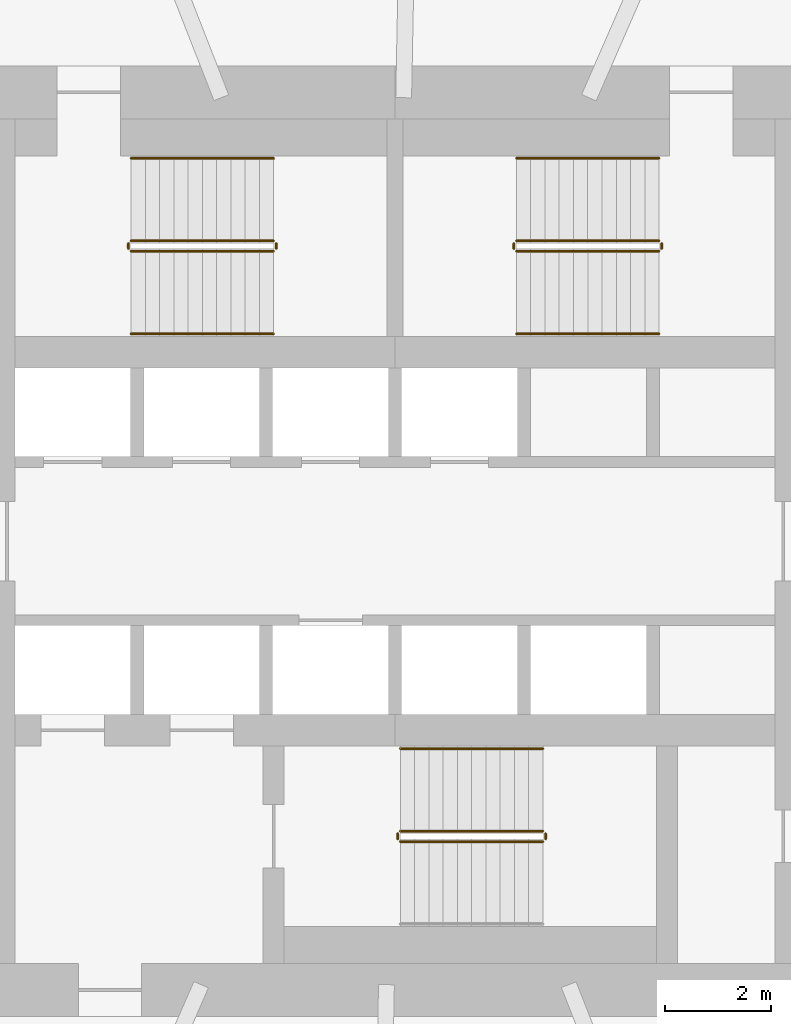
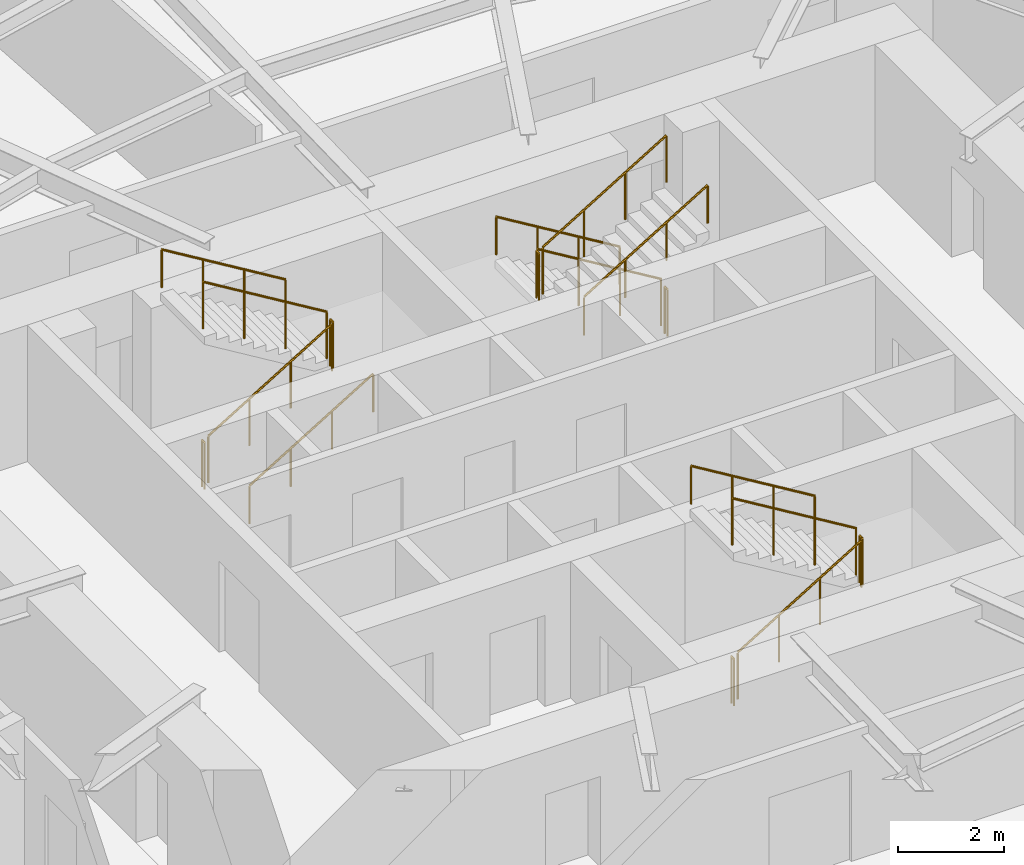
# One storey, part 13 of 14: 17 railings.
"""IFC4 building model written with IfcOpenShell, lengths in metres."""

import ifcopenshell
import ifcopenshell.guid

model = None  # the IFC model being written
_history = None  # IfcOwnerHistory: only IFC2X3 demands one
_inside = {}  # id of a spatial element -> (the spatial element, [elements in it])
_under = {}  # id of a project, library or spatial element -> (it, [spatial elements below it])
_declared = {}  # id of a project -> (the project, [libraries it declares])
_typed = {}  # id of a type object -> (the type object, [elements of that type])
_made_of = {}  # id of a material, layer set ... -> (it, [elements and type objects made of it])


def new_model(schema):
    """Start an empty IFC model of exactly this schema.

    Asked for "IFC4X3", IfcOpenShell would pick the latest addendum, in which some entities
    have other attributes; the version numbers below select the first issue.
    IFC2X3 requires an IfcOwnerHistory on every rooted entity: one is made here for all.
    """
    global model, _history
    if schema == "IFC4X3":
        model = ifcopenshell.file(schema_version=(4, 3, 0, 0))
    else:
        model = ifcopenshell.file(schema=schema)
    _inside.clear()
    _under.clear()
    _declared.clear()
    _typed.clear()
    _made_of.clear()
    _history = None
    if model.schema == "IFC2X3":
        org = make("IfcOrganization", Name="unknown")
        user = make(
            "IfcPersonAndOrganization",
            ThePerson=make("IfcPerson", FamilyName="unknown"),
            TheOrganization=org,
        )
        app = make(
            "IfcApplication",
            ApplicationDeveloper=org,
            Version="unknown",
            ApplicationFullName="unknown",
            ApplicationIdentifier="unknown",
        )
        _history = make(
            "IfcOwnerHistory",
            OwningUser=user,
            OwningApplication=app,
            ChangeAction="ADDED",
            CreationDate=0,
        )
    return model


def make(cls, **values):
    """One entity of the class cls with the attributes given. An attribute that is None is left unset."""
    return model.create_entity(
        cls, **{name: value for name, value in values.items() if value is not None}
    )


def rooted(cls, **values):
    """An entity with a GlobalId (a new one), such as an element, a storey or a relation."""
    return make(cls, GlobalId=ifcopenshell.guid.new(), OwnerHistory=_history, **values)


def si_unit(unit_type, name, prefix=None):
    """IfcSIUnit, for example si_unit("LENGTHUNIT", "METRE", prefix="MILLI")."""
    return make("IfcSIUnit", UnitType=unit_type, Prefix=prefix, Name=name)


def assignment(units):
    """IfcUnitAssignment: the units of a project."""
    return None if units is None else make("IfcUnitAssignment", Units=units)


def point(xyz):
    """IfcCartesianPoint."""
    return None if xyz is None else make("IfcCartesianPoint", Coordinates=xyz)


def direction(xyz):
    """IfcDirection."""
    return None if xyz is None else make("IfcDirection", DirectionRatios=xyz)


def frame(location, z_axis=None, x_axis=None):
    """IfcAxis2Placement3D, a coordinate frame: its origin and axes. An axis left out is left unset."""
    return make(
        "IfcAxis2Placement3D",
        Location=point(location),
        Axis=direction(z_axis),
        RefDirection=direction(x_axis),
    )


def frame_2d(location, x_axis=None):
    """IfcAxis2Placement2D, a coordinate frame in the plane: its origin and x axis."""
    return make(
        "IfcAxis2Placement2D", Location=point(location), RefDirection=direction(x_axis)
    )


def origin():
    """The frame at (0, 0, 0) with its axes left unset."""
    return frame((0.0, 0.0, 0.0))


def origin_2d():
    """The frame at (0, 0) in the plane with its x axis left unset."""
    return frame_2d((0.0, 0.0))


def place(relative_to, where):
    """IfcLocalPlacement: puts the frame where relative to a parent placement (None: the world)."""
    return make(
        "IfcLocalPlacement", PlacementRelTo=relative_to, RelativePlacement=where
    )


def context(
    kind, dimensions, precision=None, world=None, true_north=None, identifier=None
):
    """IfcGeometricRepresentationContext, for example the 3D "Model" context."""
    return make(
        "IfcGeometricRepresentationContext",
        ContextIdentifier=identifier,
        ContextType=kind,
        CoordinateSpaceDimension=dimensions,
        Precision=precision,
        WorldCoordinateSystem=world,
        TrueNorth=true_north,
    )


def subcontext(parent, identifier, kind, view, scale=None):
    """IfcGeometricRepresentationSubContext, for example "Body" below "Model"."""
    return make(
        "IfcGeometricRepresentationSubContext",
        ContextIdentifier=identifier,
        ContextType=kind,
        ParentContext=parent,
        TargetScale=scale,
        TargetView=view,
    )


def project(units=None, contexts=None):
    """IfcProject with its units and contexts."""
    return rooted(
        "IfcProject",
        Name="project",
        RepresentationContexts=contexts,
        UnitsInContext=assignment(units),
    )


def spatial(cls, under=None, at=None, **own):
    """A site, building, storey or space (cls), placed at a placement, below another one or the project."""
    s = rooted(cls, ObjectPlacement=at, **own)
    if under is not None:
        _under.setdefault(under.id(), (under, []))[1].append(s)
    return s


def profile(cls, at=None, kind="AREA", **sizes):
    """A parametric profile (cls). Its sizes go by their IFC names, for example OverallWidth=200.0."""
    return make(cls, ProfileType=kind, Position=at, **sizes)


def circle(**sizes):
    """IfcCircleProfileDef."""
    return profile("IfcCircleProfileDef", **sizes)


def extrude(swept, where, along, depth):
    """IfcExtrudedAreaSolid: the profile swept, set in the frame where, extruded along a direction by depth."""
    return make(
        "IfcExtrudedAreaSolid",
        SweptArea=swept,
        Position=where,
        ExtrudedDirection=direction(along),
        Depth=depth,
    )


def shape(context_of_items, identifier, shape_type, items):
    """IfcShapeRepresentation: the items that make up one representation, for example the "Body"."""
    return make(
        "IfcShapeRepresentation",
        ContextOfItems=context_of_items,
        RepresentationIdentifier=identifier,
        RepresentationType=shape_type,
        Items=items,
    )


def material(Name=None, Category=None):
    """IfcMaterial."""
    return make("IfcMaterial", Name=Name, Category=Category)


def made_of(thing, what):
    """Note that an element or type object is made of a material, layer set ...; save() writes the relation."""
    if what is not None:
        _made_of.setdefault(what.id(), (what, []))[1].append(thing)
    return thing


def type_object(cls, material=None, **own):
    """A type object (cls), such as IfcWallType, which elements share."""
    return made_of(rooted(cls, **own), material)


def element(
    cls,
    number,
    at=None,
    inside=None,
    cuts=None,
    type_object=None,
    material=None,
    context=None,
    identifier="Body",
    shape_type=None,
    held_by="IfcProductDefinitionShape",
    body=None,
    shapes=None,
    **own,
):
    """One element of the class cls, such as IfcWall. Its Tag is "e" and its number.

    at: its placement. inside: the storey or other place that contains it. cuts: it is an
    opening in that element (IfcRelVoidsElement). A single representation is given by context,
    identifier, shape_type and body (its items); several are given by shapes. held_by: the class
    of the entity that holds the representations. save() writes the other relations.
    """
    e = rooted(cls, Tag="e%d" % number, ObjectPlacement=at, **own)
    if body is not None:
        shapes = [shape(context, identifier, shape_type, body)]
    if shapes is not None:
        e.Representation = make(held_by, Representations=shapes)
    if inside is not None:
        _inside.setdefault(inside.id(), (inside, []))[1].append(e)
    if cuts is not None:
        rooted(
            "IfcRelVoidsElement", RelatingBuildingElement=cuts, RelatedOpeningElement=e
        )
    if type_object is not None:
        _typed.setdefault(type_object.id(), (type_object, []))[1].append(e)
    return made_of(e, material)


def aggregate(whole, parts):
    """IfcRelAggregates: a whole, such as a stair, and the parts it consists of."""
    return rooted("IfcRelAggregates", RelatingObject=whole, RelatedObjects=parts)


def save(model, path):
    """Write the relations noted so far, then the file.

    IfcRelAggregates (storeys below a building ...), IfcRelContainedInSpatialStructure (elements
    in a storey), IfcRelDefinesByType, IfcRelAssociatesMaterial and IfcRelDeclares: one each for
    every whole, place, type object, material and project.
    """
    for whole, parts in _under.values():
        aggregate(whole, parts)
    for where, things in _inside.values():
        rooted(
            "IfcRelContainedInSpatialStructure",
            RelatedElements=things,
            RelatingStructure=where,
        )
    for kind, things in _typed.values():
        rooted("IfcRelDefinesByType", RelatedObjects=things, RelatingType=kind)
    for what, things in _made_of.values():
        rooted("IfcRelAssociatesMaterial", RelatedObjects=things, RelatingMaterial=what)
    for by, libraries in _declared.values():
        rooted("IfcRelDeclares", RelatingContext=by, RelatedDefinitions=libraries)
    model.write(path)


model = new_model("IFC4")

# Units and contexts
model_context = context("Model", 3, precision=1e-05, world=origin(), true_north=direction((0.0, 1.0)))
body_context = subcontext(model_context, "Body", "Model", "MODEL_VIEW")
ifc_project = project(units=[si_unit("LENGTHUNIT", "METRE"), si_unit("AREAUNIT", "SQUARE_METRE"), si_unit("VOLUMEUNIT", "CUBIC_METRE"), si_unit("PLANEANGLEUNIT", "RADIAN"), si_unit("MASSUNIT", "GRAM", prefix="KILO")], contexts=[model_context])

# Site, building, storey
site_placement = place(None, origin())
site = spatial("IfcSite", under=ifc_project, at=site_placement, CompositionType="ELEMENT")
building_placement = place(site_placement, origin())
building = spatial("IfcBuilding", under=site, at=building_placement, Name="Vermilion Reach Broadcast Tower", CompositionType="ELEMENT")
storey_placement = place(building_placement, frame((0.0, 0.0, 186.60009765625)))
storey = spatial("IfcBuildingStorey", under=building, at=storey_placement, Name="L45", CompositionType="ELEMENT", Elevation=186.60009765625)

# Railings
ifc_material_1 = material(Name="Stainless steel", Category="steel")
railing_type_1 = type_object("IfcRailingType", Name="Stair guard 1100", PredefinedType="GUARDRAIL", material=ifc_material_1)
railing_1_placement = place(storey_placement, frame((-11.0, 5.489990234375, 0.16357421875)))
element("IfcRailing", 1, at=railing_1_placement, inside=storey, type_object=railing_type_1, Name="L45 ST1 stair guard 1", PredefinedType="GUARDRAIL", context=body_context, shape_type="SweptSolid", body=[
    extrude(circle(Radius=0.02392578125, at=origin_2d()), frame((0.0, 0.0, 1.076171875), z_axis=(0.855212373127, 0.0, 0.518277721738), x_axis=(0.0, 1.0, 0.0)), (0.0, 0.0, 1.0), 3.156982421875),
    extrude(circle(Radius=0.02099609375, at=origin_2d()), origin(), (0.0, 0.0, 1.0), 1.052001953125),
    extrude(circle(Radius=0.02099609375, at=origin_2d()), frame((0.89990234375, 0.0, 0.54541015625)), (0.0, 0.0, 1.0), 1.052001953125),
    extrude(circle(Radius=0.02099609375, at=origin_2d()), frame((1.800048828125, 0.0, 1.0908203125)), (0.0, 0.0, 1.0), 1.052001953125),
    extrude(circle(Radius=0.02099609375, at=origin_2d()), frame((2.699951171875, 0.0, 1.63623046875)), (0.0, 0.0, 1.0), 1.052001953125),
])
railing_2_placement = place(storey_placement, frame((-8.25, 5.5400390625, 1.7998046875)))
element("IfcRailing", 2, at=railing_2_placement, inside=storey, type_object=railing_type_1, Name="L45 ST1 stair guard 2", PredefinedType="GUARDRAIL", context=body_context, shape_type="SweptSolid", body=[
    extrude(circle(Radius=0.02392578125, at=origin_2d()), frame((0.0, 0.0, 1.076171875), z_axis=(0.0, 1.0, 0.0), x_axis=(-1.0, 0.0, 0.0)), (0.0, 0.0, 1.0), 0.099853515625),
    extrude(circle(Radius=0.02099609375, at=origin_2d()), origin(), (0.0, 0.0, 1.0), 1.052001953125),
    extrude(circle(Radius=0.02099609375, at=origin_2d()), frame((0.0, 0.099853515625, 0.0)), (0.0, 0.0, 1.0), 1.052001953125),
])
railing_3_placement = place(storey_placement, frame((-8.300048828125, 5.68994140625, 1.963623046875)))
element("IfcRailing", 3, at=railing_3_placement, inside=storey, type_object=railing_type_1, Name="L45 ST1 stair guard 3", PredefinedType="GUARDRAIL", context=body_context, shape_type="SweptSolid", body=[
    extrude(circle(Radius=0.02392578125, at=origin_2d()), frame((0.0, 0.0, 1.076171875), z_axis=(-0.855212373127, 0.0, 0.518277721738), x_axis=(0.0, -1.0, 0.0)), (0.0, 0.0, 1.0), 3.156982421875),
    extrude(circle(Radius=0.02099609375, at=origin_2d()), origin(), (0.0, 0.0, 1.0), 1.052001953125),
    extrude(circle(Radius=0.02099609375, at=origin_2d()), frame((-0.89990234375, 0.0, 0.54541015625)), (0.0, 0.0, 1.0), 1.052001953125),
    extrude(circle(Radius=0.02099609375, at=origin_2d()), frame((-1.800048828125, 0.0, 1.0908203125)), (0.0, 0.0, 1.0), 1.052001953125),
    extrude(circle(Radius=0.02099609375, at=origin_2d()), frame((-2.699951171875, 0.0, 1.63623046875)), (0.0, 0.0, 1.0), 1.052001953125),
])
railing_4_placement = place(storey_placement, frame((-11.050048828125, 5.5400390625, 0.0)))
element("IfcRailing", 4, at=railing_4_placement, inside=storey, type_object=railing_type_1, Name="L45 ST1 stair guard 4", PredefinedType="GUARDRAIL", context=body_context, shape_type="SweptSolid", body=[
    extrude(circle(Radius=0.02392578125, at=origin_2d()), frame((0.0, 0.0, 1.076171875), z_axis=(0.0, 1.0, 0.0), x_axis=(-1.0, 0.0, 0.0)), (0.0, 0.0, 1.0), 0.099853515625),
    extrude(circle(Radius=0.02099609375, at=origin_2d()), origin(), (0.0, 0.0, 1.0), 1.052001953125),
    extrude(circle(Radius=0.02099609375, at=origin_2d()), frame((0.0, 0.099853515625, 0.0)), (0.0, 0.0, 1.0), 1.052001953125),
])
railing_5_placement = place(storey_placement, frame((-1.0, 5.68994140625, 0.16357421875)))
element("IfcRailing", 5, at=railing_5_placement, inside=storey, type_object=railing_type_1, Name="L45 ST2 stair guard 1", PredefinedType="GUARDRAIL", context=body_context, shape_type="SweptSolid", body=[
    extrude(circle(Radius=0.02392578125, at=origin_2d()), frame((0.0, 0.0, 1.076171875), z_axis=(-0.855212373127, 0.0, 0.518277721738), x_axis=(0.0, -1.0, 0.0)), (0.0, 0.0, 1.0), 3.156982421875),
    extrude(circle(Radius=0.02099609375, at=origin_2d()), origin(), (0.0, 0.0, 1.0), 1.052001953125),
    extrude(circle(Radius=0.02099609375, at=origin_2d()), frame((-0.89990234375, 0.0, 0.54541015625)), (0.0, 0.0, 1.0), 1.052001953125),
    extrude(circle(Radius=0.02099609375, at=origin_2d()), frame((-1.800048828125, 0.0, 1.0908203125)), (0.0, 0.0, 1.0), 1.052001953125),
    extrude(circle(Radius=0.02099609375, at=origin_2d()), frame((-2.699951171875, 0.0, 1.63623046875)), (0.0, 0.0, 1.0), 1.052001953125),
])
railing_6_placement = place(storey_placement, frame((-3.75, 5.639892578125, 1.7998046875)))
element("IfcRailing", 6, at=railing_6_placement, inside=storey, type_object=railing_type_1, Name="L45 ST2 stair guard 2", PredefinedType="GUARDRAIL", context=body_context, shape_type="SweptSolid", body=[
    extrude(circle(Radius=0.02392578125, at=origin_2d()), frame((0.0, 0.0, 1.076171875), z_axis=(0.0, -1.0, 0.0), x_axis=(1.0, 0.0, 0.0)), (0.0, 0.0, 1.0), 0.099853515625),
    extrude(circle(Radius=0.02099609375, at=origin_2d()), origin(), (0.0, 0.0, 1.0), 1.052001953125),
    extrude(circle(Radius=0.02099609375, at=origin_2d()), frame((0.0, -0.099853515625, 0.0)), (0.0, 0.0, 1.0), 1.052001953125),
])
railing_7_placement = place(storey_placement, frame((-3.699951171875, 5.489990234375, 1.963623046875)))
element("IfcRailing", 7, at=railing_7_placement, inside=storey, type_object=railing_type_1, Name="L45 ST2 stair guard 3", PredefinedType="GUARDRAIL", context=body_context, shape_type="SweptSolid", body=[
    extrude(circle(Radius=0.02392578125, at=origin_2d()), frame((0.0, 0.0, 1.076171875), z_axis=(0.855212373127, 0.0, 0.518277721738), x_axis=(0.0, 1.0, 0.0)), (0.0, 0.0, 1.0), 3.156982421875),
    extrude(circle(Radius=0.02099609375, at=origin_2d()), origin(), (0.0, 0.0, 1.0), 1.052001953125),
    extrude(circle(Radius=0.02099609375, at=origin_2d()), frame((0.89990234375, 0.0, 0.54541015625)), (0.0, 0.0, 1.0), 1.052001953125),
    extrude(circle(Radius=0.02099609375, at=origin_2d()), frame((1.800048828125, 0.0, 1.0908203125)), (0.0, 0.0, 1.0), 1.052001953125),
    extrude(circle(Radius=0.02099609375, at=origin_2d()), frame((2.699951171875, 0.0, 1.63623046875)), (0.0, 0.0, 1.0), 1.052001953125),
])
railing_8_placement = place(storey_placement, frame((-0.949951171875, 5.639892578125, 0.0)))
element("IfcRailing", 8, at=railing_8_placement, inside=storey, type_object=railing_type_1, Name="L45 ST2 stair guard 4", PredefinedType="GUARDRAIL", context=body_context, shape_type="SweptSolid", body=[
    extrude(circle(Radius=0.02392578125, at=origin_2d()), frame((0.0, 0.0, 1.076171875), z_axis=(0.0, -1.0, 0.0), x_axis=(1.0, 0.0, 0.0)), (0.0, 0.0, 1.0), 0.099853515625),
    extrude(circle(Radius=0.02099609375, at=origin_2d()), origin(), (0.0, 0.0, 1.0), 1.052001953125),
    extrude(circle(Radius=0.02099609375, at=origin_2d()), frame((0.0, -0.099853515625, 0.0)), (0.0, 0.0, 1.0), 1.052001953125),
])
railing_9_placement = place(storey_placement, frame((-5.89990234375, -5.68994140625, 0.16357421875)))
element("IfcRailing", 9, at=railing_9_placement, inside=storey, type_object=railing_type_1, Name="L45 ST3 stair guard 1", PredefinedType="GUARDRAIL", context=body_context, shape_type="SweptSolid", body=[
    extrude(circle(Radius=0.02392578125, at=origin_2d()), frame((0.0, 0.0, 1.076171875), z_axis=(0.855212373127, 0.0, 0.518277721738), x_axis=(0.0, 1.0, 0.0)), (0.0, 0.0, 1.0), 3.156982421875),
    extrude(circle(Radius=0.02099609375, at=origin_2d()), origin(), (0.0, 0.0, 1.0), 1.052001953125),
    extrude(circle(Radius=0.02099609375, at=origin_2d()), frame((0.89990234375, 0.0, 0.54541015625)), (0.0, 0.0, 1.0), 1.052001953125),
    extrude(circle(Radius=0.02099609375, at=origin_2d()), frame((1.800048828125, 0.0, 1.0908203125)), (0.0, 0.0, 1.0), 1.052001953125),
    extrude(circle(Radius=0.02099609375, at=origin_2d()), frame((2.699951171875, 0.0, 1.63623046875)), (0.0, 0.0, 1.0), 1.052001953125),
])
railing_10_placement = place(storey_placement, frame((-3.14990234375, -5.639892578125, 1.7998046875)))
element("IfcRailing", 10, at=railing_10_placement, inside=storey, type_object=railing_type_1, Name="L45 ST3 stair guard 2", PredefinedType="GUARDRAIL", context=body_context, shape_type="SweptSolid", body=[
    extrude(circle(Radius=0.02392578125, at=origin_2d()), frame((0.0, 0.0, 1.076171875), z_axis=(0.0, 1.0, 0.0), x_axis=(-1.0, 0.0, 0.0)), (0.0, 0.0, 1.0), 0.099853515625),
    extrude(circle(Radius=0.02099609375, at=origin_2d()), origin(), (0.0, 0.0, 1.0), 1.052001953125),
    extrude(circle(Radius=0.02099609375, at=origin_2d()), frame((0.0, 0.099853515625, 0.0)), (0.0, 0.0, 1.0), 1.052001953125),
])
railing_11_placement = place(storey_placement, frame((-3.199951171875, -5.489990234375, 1.963623046875)))
element("IfcRailing", 11, at=railing_11_placement, inside=storey, type_object=railing_type_1, Name="L45 ST3 stair guard 3", PredefinedType="GUARDRAIL", context=body_context, shape_type="SweptSolid", body=[
    extrude(circle(Radius=0.02392578125, at=origin_2d()), frame((0.0, 0.0, 1.076171875), z_axis=(-0.855212373127, 0.0, 0.518277721738), x_axis=(0.0, -1.0, 0.0)), (0.0, 0.0, 1.0), 3.156982421875),
    extrude(circle(Radius=0.02099609375, at=origin_2d()), origin(), (0.0, 0.0, 1.0), 1.052001953125),
    extrude(circle(Radius=0.02099609375, at=origin_2d()), frame((-0.89990234375, 0.0, 0.54541015625)), (0.0, 0.0, 1.0), 1.052001953125),
    extrude(circle(Radius=0.02099609375, at=origin_2d()), frame((-1.800048828125, 0.0, 1.0908203125)), (0.0, 0.0, 1.0), 1.052001953125),
    extrude(circle(Radius=0.02099609375, at=origin_2d()), frame((-2.699951171875, 0.0, 1.63623046875)), (0.0, 0.0, 1.0), 1.052001953125),
])
railing_12_placement = place(storey_placement, frame((-5.949951171875, -5.639892578125, 0.0)))
element("IfcRailing", 12, at=railing_12_placement, inside=storey, type_object=railing_type_1, Name="L45 ST3 stair guard 4", PredefinedType="GUARDRAIL", context=body_context, shape_type="SweptSolid", body=[
    extrude(circle(Radius=0.02392578125, at=origin_2d()), frame((0.0, 0.0, 1.076171875), z_axis=(0.0, 1.0, 0.0), x_axis=(-1.0, 0.0, 0.0)), (0.0, 0.0, 1.0), 0.099853515625),
    extrude(circle(Radius=0.02099609375, at=origin_2d()), origin(), (0.0, 0.0, 1.0), 1.052001953125),
    extrude(circle(Radius=0.02099609375, at=origin_2d()), frame((0.0, 0.099853515625, 0.0)), (0.0, 0.0, 1.0), 1.052001953125),
])
ifc_material_2 = material(Name="Stainless steel", Category="steel")
railing_type_2 = type_object("IfcRailingType", Name="Stair handrail", PredefinedType="HANDRAIL", material=ifc_material_2)
railing_13_placement = place(storey_placement, frame((-11.0, 3.929931640625, 0.16357421875)))
element("IfcRailing", 13, at=railing_13_placement, inside=storey, type_object=railing_type_2, Name="L45 ST1 stair handrail 1", PredefinedType="HANDRAIL", context=body_context, shape_type="SweptSolid", body=[
    extrude(circle(Radius=0.02392578125, at=origin_2d()), frame((0.0, 0.0, 0.8759765625), z_axis=(0.855212373127, 0.0, 0.518277721738), x_axis=(0.0, 1.0, 0.0)), (0.0, 0.0, 1.0), 3.156982421875),
    extrude(circle(Radius=0.02099609375, at=origin_2d()), origin(), (0.0, 0.0, 1.0), 0.851806640625),
    extrude(circle(Radius=0.02099609375, at=origin_2d()), frame((0.89990234375, 0.0, 0.54541015625)), (0.0, 0.0, 1.0), 0.851806640625),
    extrude(circle(Radius=0.02099609375, at=origin_2d()), frame((1.800048828125, 0.0, 1.0908203125)), (0.0, 0.0, 1.0), 0.851806640625),
    extrude(circle(Radius=0.02099609375, at=origin_2d()), frame((2.699951171875, 0.0, 1.63623046875)), (0.0, 0.0, 1.0), 0.851806640625),
])
for number, where, name in (
    (14, (-8.300048828125, 7.25, 1.963623046875), "L45 ST1 stair handrail 2"),
    (15, (-1.0, 7.25, 0.16357421875), "L45 ST2 stair handrail 1"),
):
    element("IfcRailing", number, at=place(storey_placement, frame(where)), inside=storey, type_object=railing_type_2, Name=name, PredefinedType="HANDRAIL", context=body_context, shape_type="SweptSolid", body=[
        extrude(circle(Radius=0.02392578125, at=origin_2d()), frame((0.0, 0.0, 0.8759765625), z_axis=(-0.855212373127, 0.0, 0.518277721738), x_axis=(0.0, -1.0, 0.0)), (0.0, 0.0, 1.0), 3.156982421875),
        extrude(circle(Radius=0.02099609375, at=origin_2d()), origin(), (0.0, 0.0, 1.0), 0.851806640625),
        extrude(circle(Radius=0.02099609375, at=origin_2d()), frame((-0.89990234375, 0.0, 0.54541015625)), (0.0, 0.0, 1.0), 0.851806640625),
        extrude(circle(Radius=0.02099609375, at=origin_2d()), frame((-1.800048828125, 0.0, 1.0908203125)), (0.0, 0.0, 1.0), 0.851806640625),
        extrude(circle(Radius=0.02099609375, at=origin_2d()), frame((-2.699951171875, 0.0, 1.63623046875)), (0.0, 0.0, 1.0), 0.851806640625),
    ])
railing_14_placement = place(storey_placement, frame((-3.699951171875, 3.929931640625, 1.963623046875)))
element("IfcRailing", 16, at=railing_14_placement, inside=storey, type_object=railing_type_2, Name="L45 ST2 stair handrail 2", PredefinedType="HANDRAIL", context=body_context, shape_type="SweptSolid", body=[
    extrude(circle(Radius=0.02392578125, at=origin_2d()), frame((0.0, 0.0, 0.8759765625), z_axis=(0.855212373127, 0.0, 0.518277721738), x_axis=(0.0, 1.0, 0.0)), (0.0, 0.0, 1.0), 3.156982421875),
    extrude(circle(Radius=0.02099609375, at=origin_2d()), origin(), (0.0, 0.0, 1.0), 0.851806640625),
    extrude(circle(Radius=0.02099609375, at=origin_2d()), frame((0.89990234375, 0.0, 0.54541015625)), (0.0, 0.0, 1.0), 0.851806640625),
    extrude(circle(Radius=0.02099609375, at=origin_2d()), frame((1.800048828125, 0.0, 1.0908203125)), (0.0, 0.0, 1.0), 0.851806640625),
    extrude(circle(Radius=0.02099609375, at=origin_2d()), frame((2.699951171875, 0.0, 1.63623046875)), (0.0, 0.0, 1.0), 0.851806640625),
])
railing_15_placement = place(storey_placement, frame((-3.199951171875, -3.929931640625, 1.963623046875)))
element("IfcRailing", 17, at=railing_15_placement, inside=storey, type_object=railing_type_2, Name="L45 ST3 stair handrail 2", PredefinedType="HANDRAIL", context=body_context, shape_type="SweptSolid", body=[
    extrude(circle(Radius=0.02392578125, at=origin_2d()), frame((0.0, 0.0, 0.8759765625), z_axis=(-0.855212373127, 0.0, 0.518277721738), x_axis=(0.0, -1.0, 0.0)), (0.0, 0.0, 1.0), 3.156982421875),
    extrude(circle(Radius=0.02099609375, at=origin_2d()), origin(), (0.0, 0.0, 1.0), 0.851806640625),
    extrude(circle(Radius=0.02099609375, at=origin_2d()), frame((-0.89990234375, 0.0, 0.54541015625)), (0.0, 0.0, 1.0), 0.851806640625),
    extrude(circle(Radius=0.02099609375, at=origin_2d()), frame((-1.800048828125, 0.0, 1.0908203125)), (0.0, 0.0, 1.0), 0.851806640625),
    extrude(circle(Radius=0.02099609375, at=origin_2d()), frame((-2.699951171875, 0.0, 1.63623046875)), (0.0, 0.0, 1.0), 0.851806640625),
])

save(model, "model.ifc")
